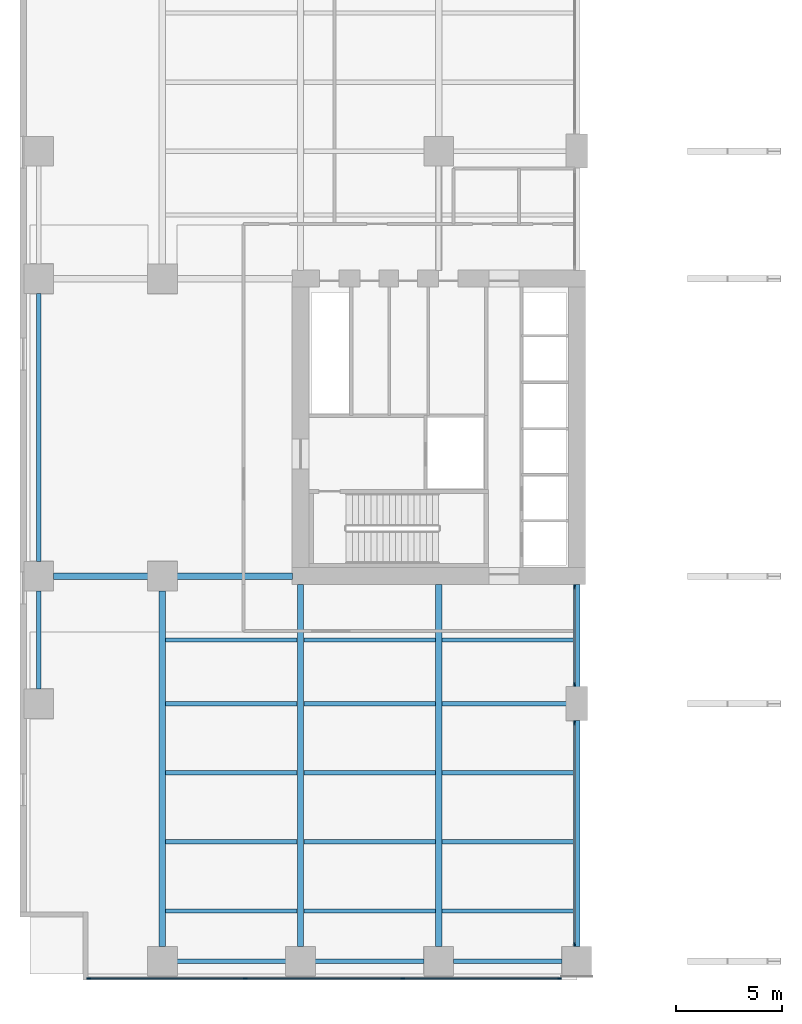
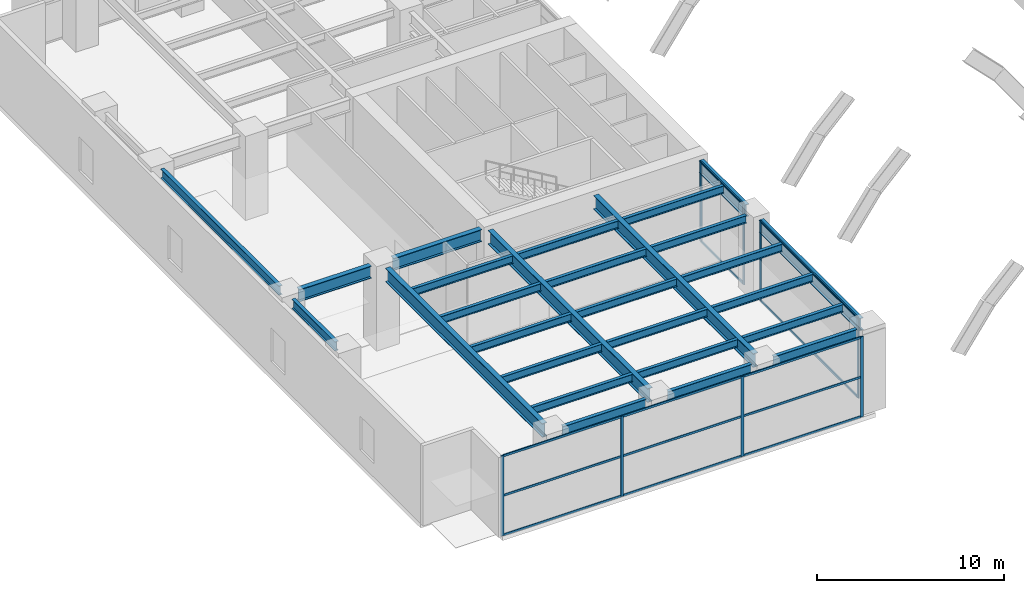
# One storey, part 2 of 18: 27 beams, 21 members, 3 elements without a shape of their own.
"""IFC4 building model written with IfcOpenShell, lengths in metres."""

from ifc_helpers import new_model, si_unit, direction, frame, origin, origin_2d, place, context, subcontext, project, spatial, rectangle, i_section, extrude, material, layer, layer_set, material_profile, profile_set, type_object, element, aggregate, save


model = new_model("IFC4")

# Units and contexts
model_context = context("Model", 3, precision=1e-05, world=origin(), true_north=direction((0.0, 1.0)))
body_context = subcontext(model_context, "Body", "Model", "MODEL_VIEW")
ifc_project = project(units=[si_unit("LENGTHUNIT", "METRE"), si_unit("AREAUNIT", "SQUARE_METRE"), si_unit("VOLUMEUNIT", "CUBIC_METRE"), si_unit("PLANEANGLEUNIT", "RADIAN"), si_unit("MASSUNIT", "GRAM", prefix="KILO")], contexts=[model_context])

# Site, building, storey
site_placement = place(None, origin())
site = spatial("IfcSite", under=ifc_project, at=site_placement, CompositionType="ELEMENT")
building_placement = place(site_placement, origin())
building = spatial("IfcBuilding", under=site, at=building_placement, Name="Putna Gate Headquarters", CompositionType="ELEMENT")
storey_placement = place(building_placement, frame((0.0, 0.0, 11.5)))
storey = spatial("IfcBuildingStorey", under=building, at=storey_placement, Name="L02", CompositionType="ELEMENT", Elevation=11.5)

# Beams
ifc_material_1 = material(Name="Steel S355J2", Category="steel")
ifc_material_profile_1 = material_profile(ifc_material_1, i_section(OverallWidth=0.300048828125, OverallDepth=0.800048828125, WebThickness=0.017578125, FlangeThickness=0.032958984375, at=origin_2d()), Name="Steel S355J2")
ifc_profile_set_1 = profile_set([ifc_material_profile_1], Name="Steel S355J2")
beam_type_1 = type_object("IfcBeamType", Name="BM-GIRD-P-HEB800", PredefinedType="USERDEFINED", material=ifc_profile_set_1)
beam_1_placement = place(storey_placement, frame((1.367919921875, 19.0, 4.820068359375), z_axis=(1.0, 0.0, 0.0), x_axis=(0.0, 1.0, 0.0)))
element("IfcBeam", 1, at=beam_1_placement, inside=storey, type_object=beam_type_1, Name="L02 West Wing Girder Y19-1", ObjectType="GIRDER", PredefinedType="USERDEFINED", context=body_context, shape_type="SweptSolid", body=[
    extrude(i_section(OverallWidth=0.300048828125, OverallDepth=0.800048828125, WebThickness=0.017578125, FlangeThickness=0.032958984375, at=origin_2d()), origin(), (0.0, 0.0, 1.0), 4.444091796875),
])
beam_2_placement = place(storey_placement, frame((7.18798828125, 19.0, 4.820068359375), z_axis=(1.0, 0.0, 0.0), x_axis=(0.0, 1.0, 0.0)))
element("IfcBeam", 2, at=beam_2_placement, inside=storey, type_object=beam_type_1, Name="L02 West Wing Girder Y19-2", ObjectType="GIRDER", PredefinedType="USERDEFINED", context=body_context, shape_type="SweptSolid", body=[
    extrude(i_section(OverallWidth=0.300048828125, OverallDepth=0.800048828125, WebThickness=0.017578125, FlangeThickness=0.032958984375, at=origin_2d()), origin(), (0.0, 0.0, 1.0), 5.427001953125),
])
beam_3_placement = place(storey_placement, frame((26.0, 1.568115234375, 4.820068359375), z_axis=(0.0, 1.0, 0.0), x_axis=(-1.0, 0.0, 0.0)))
element("IfcBeam", 3, at=beam_3_placement, inside=storey, type_object=beam_type_1, Name="L02 South Primary Girder X26-1", ObjectType="GIRDER", PredefinedType="USERDEFINED", context=body_context, shape_type="SweptSolid", body=[
    extrude(i_section(OverallWidth=0.300048828125, OverallDepth=0.800048828125, WebThickness=0.017578125, FlangeThickness=0.032958984375, at=origin_2d()), origin(), (0.0, 0.0, 1.0), 10.643798828125),
])
beam_4_placement = place(storey_placement, frame((26.0, 13.7880859375, 4.820068359375), z_axis=(0.0, 1.0, 0.0), x_axis=(-1.0, 0.0, 0.0)))
element("IfcBeam", 4, at=beam_4_placement, inside=storey, type_object=beam_type_1, Name="L02 South Primary Girder X26-2", ObjectType="GIRDER", PredefinedType="USERDEFINED", context=body_context, shape_type="SweptSolid", body=[
    extrude(i_section(OverallWidth=0.300048828125, OverallDepth=0.800048828125, WebThickness=0.017578125, FlangeThickness=0.032958984375, at=origin_2d()), origin(), (0.0, 0.0, 1.0), 4.826904296875),
])
ifc_material_profile_2 = material_profile(ifc_material_1, i_section(OverallWidth=0.300048828125, OverallDepth=0.89990234375, WebThickness=0.0185546875, FlangeThickness=0.034912109375, at=origin_2d()), Name="Steel S355J2")
ifc_profile_set_2 = profile_set([ifc_material_profile_2], Name="Steel S355J2")
beam_type_2 = type_object("IfcBeamType", Name="BM-SEC-AUD-HEB900", PredefinedType="USERDEFINED", material=ifc_profile_set_2)
beam_5_placement = place(storey_placement, frame((6.5, 1.568115234375, 4.77001953125), z_axis=(0.0, 1.0, 0.0), x_axis=(-1.0, 0.0, 0.0)))
element("IfcBeam", 5, at=beam_5_placement, inside=storey, type_object=beam_type_2, Name="L02 South Primary Girder X6", ObjectType="GIRDER", PredefinedType="USERDEFINED", context=body_context, shape_type="SweptSolid", body=[
    extrude(i_section(OverallWidth=0.300048828125, OverallDepth=0.89990234375, WebThickness=0.0185546875, FlangeThickness=0.034912109375, at=origin_2d()), origin(), (0.0, 0.0, 1.0), 16.743896484375),
])
for number, where, z_axis, x_axis, name in (
    (6, (13.0, 1.568115234375, 4.77001953125), (0.0, 1.0, 0.0), (-1.0, 0.0, 0.0), "L02 South Primary Girder X13"),
    (7, (19.5, 1.568115234375, 4.77001953125), (0.0, 1.0, 0.0), (-1.0, 0.0, 0.0), "L02 South Primary Girder X19"),
):
    element("IfcBeam", number, at=place(storey_placement, frame(where, z_axis=z_axis, x_axis=x_axis)), inside=storey, type_object=beam_type_2, Name=name, ObjectType="GIRDER", PredefinedType="USERDEFINED", context=body_context, shape_type="SweptSolid", body=[
        extrude(i_section(OverallWidth=0.300048828125, OverallDepth=0.89990234375, WebThickness=0.0185546875, FlangeThickness=0.034912109375, at=origin_2d()), origin(), (0.0, 0.0, 1.0), 17.046875),
    ])
ifc_material_profile_3 = material_profile(ifc_material_1, i_section(OverallWidth=0.199951171875, OverallDepth=0.5, WebThickness=0.01025390625, FlangeThickness=0.01611328125, at=origin_2d()), Name="Steel S355J2")
ifc_profile_set_3 = profile_set([ifc_material_profile_3], Name="Steel S355J2")
beam_type_3 = type_object("IfcBeamType", Name="BM-SEC-P-IPE500", PredefinedType="BEAM", material=ifc_profile_set_3)
for number, where, z_axis, x_axis, name in (
    (8, (6.654052734375, 3.25, 4.969970703125), (1.0, 0.0, 0.0), (0.0, 1.0, 0.0), "L02 South Secondary Beam 1"),
    (9, (6.654052734375, 6.5, 4.969970703125), (1.0, 0.0, 0.0), (0.0, 1.0, 0.0), "L02 South Secondary Beam 1"),
    (10, (6.654052734375, 9.75, 4.969970703125), (1.0, 0.0, 0.0), (0.0, 1.0, 0.0), "L02 South Secondary Beam 1"),
    (11, (6.654052734375, 13.0, 4.969970703125), (1.0, 0.0, 0.0), (0.0, 1.0, 0.0), "L02 South Secondary Beam 1"),
    (12, (6.654052734375, 16.0, 4.969970703125), (1.0, 0.0, 0.0), (0.0, 1.0, 0.0), "L02 South Secondary Beam 1"),
    (13, (13.154052734375, 3.25, 4.969970703125), (1.0, 0.0, 0.0), (0.0, 1.0, 0.0), "L02 South Secondary Beam 2"),
    (14, (13.154052734375, 6.5, 4.969970703125), (1.0, 0.0, 0.0), (0.0, 1.0, 0.0), "L02 South Secondary Beam 2"),
    (15, (13.154052734375, 9.75, 4.969970703125), (1.0, 0.0, 0.0), (0.0, 1.0, 0.0), "L02 South Secondary Beam 2"),
    (16, (13.154052734375, 13.0, 4.969970703125), (1.0, 0.0, 0.0), (0.0, 1.0, 0.0), "L02 South Secondary Beam 2"),
    (17, (13.154052734375, 16.0, 4.969970703125), (1.0, 0.0, 0.0), (0.0, 1.0, 0.0), "L02 South Secondary Beam 2"),
    (18, (19.654052734375, 3.25, 4.969970703125), (1.0, 0.0, 0.0), (0.0, 1.0, 0.0), "L02 South Secondary Beam 3"),
    (19, (19.654052734375, 6.5, 4.969970703125), (1.0, 0.0, 0.0), (0.0, 1.0, 0.0), "L02 South Secondary Beam 3"),
    (20, (19.654052734375, 9.75, 4.969970703125), (1.0, 0.0, 0.0), (0.0, 1.0, 0.0), "L02 South Secondary Beam 3"),
):
    element("IfcBeam", number, at=place(storey_placement, frame(where, z_axis=z_axis, x_axis=x_axis)), inside=storey, type_object=beam_type_3, Name=name, PredefinedType="BEAM", context=body_context, shape_type="SweptSolid", body=[
        extrude(i_section(OverallWidth=0.199951171875, OverallDepth=0.5, WebThickness=0.01025390625, FlangeThickness=0.01611328125, at=origin_2d()), origin(), (0.0, 0.0, 1.0), 6.19189453125),
    ])
beam_6_placement = place(storey_placement, frame((19.654052734375, 13.0, 4.969970703125), z_axis=(1.0, 0.0, 0.0), x_axis=(0.0, 1.0, 0.0)))
element("IfcBeam", 21, at=beam_6_placement, inside=storey, type_object=beam_type_3, Name="L02 South Secondary Beam 3", PredefinedType="BEAM", context=body_context, shape_type="SweptSolid", body=[
    extrude(i_section(OverallWidth=0.199951171875, OverallDepth=0.5, WebThickness=0.01025390625, FlangeThickness=0.01611328125, at=origin_2d()), origin(), (0.0, 0.0, 1.0), 5.85791015625),
])
beam_7_placement = place(storey_placement, frame((19.654052734375, 16.0, 4.969970703125), z_axis=(1.0, 0.0, 0.0), x_axis=(0.0, 1.0, 0.0)))
element("IfcBeam", 22, at=beam_7_placement, inside=storey, type_object=beam_type_3, Name="L02 South Secondary Beam 3", PredefinedType="BEAM", context=body_context, shape_type="SweptSolid", body=[
    extrude(i_section(OverallWidth=0.199951171875, OverallDepth=0.5, WebThickness=0.01025390625, FlangeThickness=0.01611328125, at=origin_2d()), origin(), (0.0, 0.0, 1.0), 6.19189453125),
])
ifc_material_profile_4 = material_profile(ifc_material_1, i_section(OverallWidth=0.219970703125, OverallDepth=0.60009765625, WebThickness=0.011962890625, FlangeThickness=0.01904296875, at=origin_2d()), Name="Steel S355J2")
ifc_profile_set_4 = profile_set([ifc_material_profile_4], Name="Steel S355J2")
beam_type_4 = type_object("IfcBeamType", Name="BM-SPAN-P-IPE600", PredefinedType="SPANDREL", material=ifc_profile_set_4)
for number, where, z_axis, x_axis, name in (
    (23, (7.18798828125, 0.8798828125, 4.919921875), (1.0, 0.0, 0.0), (0.0, 1.0, 0.0), "L02 S Perimeter Spandrel 1"),
    (24, (13.68798828125, 0.8798828125, 4.919921875), (1.0, 0.0, 0.0), (0.0, 1.0, 0.0), "L02 S Perimeter Spandrel 2"),
    (25, (20.18798828125, 0.8798828125, 4.919921875), (1.0, 0.0, 0.0), (0.0, 1.0, 0.0), "L02 S Perimeter Spandrel 3"),
):
    element("IfcBeam", number, at=place(storey_placement, frame(where, z_axis=z_axis, x_axis=x_axis)), inside=storey, type_object=beam_type_4, Name=name, PredefinedType="SPANDREL", context=body_context, shape_type="SweptSolid", body=[
        extrude(i_section(OverallWidth=0.219970703125, OverallDepth=0.60009765625, WebThickness=0.011962890625, FlangeThickness=0.01904296875, at=origin_2d()), origin(), (0.0, 0.0, 1.0), 5.1240234375),
    ])
beam_8_placement = place(storey_placement, frame((0.679931640625, 13.68798828125, 4.919921875), z_axis=(0.0, 1.0, 0.0), x_axis=(-1.0, 0.0, 0.0)))
element("IfcBeam", 26, at=beam_8_placement, inside=storey, type_object=beam_type_4, Name="L02 W End Spandrel 1", PredefinedType="SPANDREL", context=body_context, shape_type="SweptSolid", body=[
    extrude(i_section(OverallWidth=0.219970703125, OverallDepth=0.60009765625, WebThickness=0.011962890625, FlangeThickness=0.01904296875, at=origin_2d()), origin(), (0.0, 0.0, 1.0), 4.6240234375),
])
beam_9_placement = place(storey_placement, frame((0.679931640625, 19.68798828125, 4.919921875), z_axis=(0.0, 1.0, 0.0), x_axis=(-1.0, 0.0, 0.0)))
element("IfcBeam", 27, at=beam_9_placement, inside=storey, type_object=beam_type_4, Name="L02 W End Spandrel 2", PredefinedType="SPANDREL", context=body_context, shape_type="SweptSolid", body=[
    extrude(i_section(OverallWidth=0.219970703125, OverallDepth=0.60009765625, WebThickness=0.011962890625, FlangeThickness=0.01904296875, at=origin_2d()), origin(), (0.0, 0.0, 1.0), 12.6240234375),
])

# Curtain wall, members
ifc_material_2 = material(Name="Anodised bronze aluminium curtain wall", Category="aluminium")
ifc_layer_1 = layer(ifc_material_2, 0.179931640625)
ifc_layer_set_1 = layer_set([ifc_layer_1], Name="Anodised bronze aluminium curtain wall")
curtain_wall_type_1 = type_object("IfcCurtainWallType", Name="CW-SYS-ATR", PredefinedType="USERDEFINED", material=ifc_layer_set_1)
curtain_wall_1_placement = place(storey_placement, origin())
curtain_wall_1 = element("IfcCurtainWall", 28, at=curtain_wall_1_placement, inside=storey, type_object=curtain_wall_type_1, Name="L02 Arch Flank Glazing W-S1", ObjectType="ATRIUM GLAZING", PredefinedType="USERDEFINED")
ifc_material_3 = material(Name="Anodised bronze aluminium EN AW-6060", Category="aluminium")
ifc_material_profile_5 = material_profile(ifc_material_3, rectangle(XDim=0.070068359375, YDim=0.179931640625, at=origin_2d()), Name="Anodised bronze aluminium EN AW-6060")
ifc_profile_set_5 = profile_set([ifc_material_profile_5], Name="Anodised bronze aluminium EN AW-6060")
member_type_1 = type_object("IfcMemberType", Name="MULL-CWM-AT", PredefinedType="MULLION", material=ifc_profile_set_5)
member_1_placement = place(storey_placement, frame((25.89990234375, 1.68505859375, 0.0), z_axis=(0.0, 0.0, 1.0), x_axis=(-1.0, 0.0, 0.0)))
member_1 = element("IfcMember", 29, at=member_1_placement, type_object=member_type_1, Name="CWS-AT mullion 1", PredefinedType="MULLION", context=body_context, shape_type="SweptSolid", body=[
    extrude(rectangle(XDim=0.070068359375, YDim=0.179931640625, at=origin_2d()), origin(), (0.0, 0.0, 1.0), 5.219970703125),
])
member_2_placement = place(storey_placement, frame((25.89990234375, 12.0849609375, 0.0), z_axis=(0.0, 0.0, 1.0), x_axis=(-1.0, 0.0, 0.0)))
member_2 = element("IfcMember", 30, at=member_2_placement, type_object=member_type_1, Name="CWS-AT mullion 2", PredefinedType="MULLION", context=body_context, shape_type="SweptSolid", body=[
    extrude(rectangle(XDim=0.070068359375, YDim=0.179931640625, at=origin_2d()), origin(), (0.0, 0.0, 1.0), 5.219970703125),
])

curtain_wall_2_placement = place(storey_placement, origin())
curtain_wall_2 = element("IfcCurtainWall", 31, at=curtain_wall_2_placement, inside=storey, type_object=curtain_wall_type_1, Name="L02 Arch Flank Glazing W-S2", ObjectType="ATRIUM GLAZING", PredefinedType="USERDEFINED")
member_3_placement = place(storey_placement, frame((25.89990234375, 13.9150390625, 0.0), z_axis=(0.0, 0.0, 1.0), x_axis=(-1.0, 0.0, 0.0)))
member_3 = element("IfcMember", 32, at=member_3_placement, type_object=member_type_1, Name="CWS-AT mullion 1", PredefinedType="MULLION", context=body_context, shape_type="SweptSolid", body=[
    extrude(rectangle(XDim=0.070068359375, YDim=0.179931640625, at=origin_2d()), origin(), (0.0, 0.0, 1.0), 5.219970703125),
])
member_4_placement = place(storey_placement, frame((25.89990234375, 18.485107421875, 0.0), z_axis=(0.0, 0.0, 1.0), x_axis=(-1.0, 0.0, 0.0)))
member_4 = element("IfcMember", 33, at=member_4_placement, type_object=member_type_1, Name="CWS-AT mullion 2", PredefinedType="MULLION", context=body_context, shape_type="SweptSolid", body=[
    extrude(rectangle(XDim=0.070068359375, YDim=0.179931640625, at=origin_2d()), origin(), (0.0, 0.0, 1.0), 5.219970703125),
])

ifc_layer_2 = layer(ifc_material_2, 0.179931640625)
ifc_layer_set_2 = layer_set([ifc_layer_2], Name="Anodised bronze aluminium curtain wall")
curtain_wall_type_2 = type_object("IfcCurtainWallType", Name="CW-SYS-POD", PredefinedType="USERDEFINED", material=ifc_layer_set_2)
curtain_wall_3_placement = place(storey_placement, origin())
curtain_wall_3 = element("IfcCurtainWall", 34, at=curtain_wall_3_placement, inside=storey, type_object=curtain_wall_type_2, Name="L02 South West Curtain Wall", ObjectType="STICK CURTAIN WALL", PredefinedType="USERDEFINED")
ifc_material_profile_6 = material_profile(ifc_material_3, rectangle(XDim=0.070068359375, YDim=0.179931640625, at=origin_2d()), Name="Anodised bronze aluminium EN AW-6060")
ifc_profile_set_6 = profile_set([ifc_material_profile_6], Name="Anodised bronze aluminium EN AW-6060")
member_type_2 = type_object("IfcMemberType", Name="MULL-CWM-P", PredefinedType="MULLION", material=ifc_profile_set_6)
member_5_placement = place(storey_placement, frame((3.034912109375, 0.080078125, 0.0), z_axis=(0.0, 0.0, 1.0), x_axis=(0.0, 1.0, 0.0)))
member_5 = element("IfcMember", 35, at=member_5_placement, type_object=member_type_2, Name="CWS-P mullion 1", PredefinedType="MULLION", context=body_context, shape_type="SweptSolid", body=[
    extrude(rectangle(XDim=0.070068359375, YDim=0.179931640625, at=origin_2d()), origin(), (0.0, 0.0, 1.0), 5.219970703125),
])
member_6_placement = place(storey_placement, frame((10.40673828125, 0.080078125, 0.0), z_axis=(0.0, 0.0, 1.0), x_axis=(0.0, 1.0, 0.0)))
member_6 = element("IfcMember", 36, at=member_6_placement, type_object=member_type_2, Name="CWS-P mullion 2", PredefinedType="MULLION", context=body_context, shape_type="SweptSolid", body=[
    extrude(rectangle(XDim=0.070068359375, YDim=0.179931640625, at=origin_2d()), origin(), (0.0, 0.0, 1.0), 5.219970703125),
])
member_7_placement = place(storey_placement, frame((17.813232421875, 0.080078125, 0.0), z_axis=(0.0, 0.0, 1.0), x_axis=(0.0, 1.0, 0.0)))
member_7 = element("IfcMember", 37, at=member_7_placement, type_object=member_type_2, Name="CWS-P mullion 3", PredefinedType="MULLION", context=body_context, shape_type="SweptSolid", body=[
    extrude(rectangle(XDim=0.070068359375, YDim=0.179931640625, at=origin_2d()), origin(), (0.0, 0.0, 1.0), 5.219970703125),
])
member_8_placement = place(storey_placement, frame((25.18505859375, 0.080078125, 0.0), z_axis=(0.0, 0.0, 1.0), x_axis=(0.0, 1.0, 0.0)))
member_8 = element("IfcMember", 38, at=member_8_placement, type_object=member_type_2, Name="CWS-P mullion 4", PredefinedType="MULLION", context=body_context, shape_type="SweptSolid", body=[
    extrude(rectangle(XDim=0.070068359375, YDim=0.179931640625, at=origin_2d()), origin(), (0.0, 0.0, 1.0), 5.219970703125),
])

# Member
ifc_material_profile_7 = material_profile(ifc_material_3, rectangle(XDim=0.070068359375, YDim=0.139892578125, at=origin_2d()), Name="Anodised bronze aluminium EN AW-6060")
ifc_profile_set_7 = profile_set([ifc_material_profile_7], Name="Anodised bronze aluminium EN AW-6060")
member_type_3 = type_object("IfcMemberType", Name="TRAN-CWT-AT", PredefinedType="USERDEFINED", material=ifc_profile_set_7)
member_9_placement = place(storey_placement, frame((25.89990234375, 1.719970703125, 0.034912109375), z_axis=(0.0, 1.0, 0.0), x_axis=(-1.0, 0.0, 0.0)))
member_9 = element("IfcMember", 39, at=member_9_placement, type_object=member_type_3, Name="CWS-AT transom 1.1", ObjectType="TRANSOM", PredefinedType="USERDEFINED", context=body_context, shape_type="SweptSolid", body=[
    extrude(rectangle(XDim=0.070068359375, YDim=0.139892578125, at=origin_2d()), origin(), (0.0, 0.0, 1.0), 10.330078125),
])

member_10_placement = place(storey_placement, frame((25.89990234375, 1.719970703125, 5.18505859375), z_axis=(0.0, 1.0, 0.0), x_axis=(-1.0, 0.0, 0.0)))
member_10 = element("IfcMember", 40, at=member_10_placement, type_object=member_type_3, Name="CWS-AT transom 1.2", ObjectType="TRANSOM", PredefinedType="USERDEFINED", context=body_context, shape_type="SweptSolid", body=[
    extrude(rectangle(XDim=0.070068359375, YDim=0.139892578125, at=origin_2d()), origin(), (0.0, 0.0, 1.0), 10.330078125),
])

aggregate(curtain_wall_1, [member_1, member_2, member_9, member_10])

member_11_placement = place(storey_placement, frame((25.89990234375, 13.949951171875, 0.034912109375), z_axis=(0.0, 1.0, 0.0), x_axis=(-1.0, 0.0, 0.0)))
member_11 = element("IfcMember", 41, at=member_11_placement, type_object=member_type_3, Name="CWS-AT transom 1.1", ObjectType="TRANSOM", PredefinedType="USERDEFINED", context=body_context, shape_type="SweptSolid", body=[
    extrude(rectangle(XDim=0.070068359375, YDim=0.139892578125, at=origin_2d()), origin(), (0.0, 0.0, 1.0), 4.5),
])

member_12_placement = place(storey_placement, frame((25.89990234375, 13.949951171875, 5.18505859375), z_axis=(0.0, 1.0, 0.0), x_axis=(-1.0, 0.0, 0.0)))
member_12 = element("IfcMember", 42, at=member_12_placement, type_object=member_type_3, Name="CWS-AT transom 1.2", ObjectType="TRANSOM", PredefinedType="USERDEFINED", context=body_context, shape_type="SweptSolid", body=[
    extrude(rectangle(XDim=0.070068359375, YDim=0.139892578125, at=origin_2d()), origin(), (0.0, 0.0, 1.0), 4.5),
])

aggregate(curtain_wall_2, [member_3, member_4, member_11, member_12])

ifc_material_profile_8 = material_profile(ifc_material_3, rectangle(XDim=0.070068359375, YDim=0.139892578125, at=origin_2d()), Name="Anodised bronze aluminium EN AW-6060")
ifc_profile_set_8 = profile_set([ifc_material_profile_8], Name="Anodised bronze aluminium EN AW-6060")
member_type_4 = type_object("IfcMemberType", Name="TRAN-CWT-P", PredefinedType="USERDEFINED", material=ifc_profile_set_8)
member_13_placement = place(storey_placement, frame((3.070068359375, 0.080078125, 0.034912109375), z_axis=(1.0, 0.0, 0.0), x_axis=(0.0, 1.0, 0.0)))
member_13 = element("IfcMember", 43, at=member_13_placement, type_object=member_type_4, Name="CWS-P transom 1.1", ObjectType="TRANSOM", PredefinedType="USERDEFINED", context=body_context, shape_type="SweptSolid", body=[
    extrude(rectangle(XDim=0.070068359375, YDim=0.139892578125, at=origin_2d()), origin(), (0.0, 0.0, 1.0), 7.301513671875),
])

member_14_placement = place(storey_placement, frame((3.070068359375, 0.080078125, 2.610107421875), z_axis=(1.0, 0.0, 0.0), x_axis=(0.0, 1.0, 0.0)))
member_14 = element("IfcMember", 44, at=member_14_placement, type_object=member_type_4, Name="CWS-P transom 1.2", ObjectType="TRANSOM", PredefinedType="USERDEFINED", context=body_context, shape_type="SweptSolid", body=[
    extrude(rectangle(XDim=0.070068359375, YDim=0.139892578125, at=origin_2d()), origin(), (0.0, 0.0, 1.0), 7.301513671875),
])

member_15_placement = place(storey_placement, frame((3.070068359375, 0.080078125, 5.18505859375), z_axis=(1.0, 0.0, 0.0), x_axis=(0.0, 1.0, 0.0)))
member_15 = element("IfcMember", 45, at=member_15_placement, type_object=member_type_4, Name="CWS-P transom 1.3", ObjectType="TRANSOM", PredefinedType="USERDEFINED", context=body_context, shape_type="SweptSolid", body=[
    extrude(rectangle(XDim=0.070068359375, YDim=0.139892578125, at=origin_2d()), origin(), (0.0, 0.0, 1.0), 7.301513671875),
])

member_16_placement = place(storey_placement, frame((10.441650390625, 0.080078125, 0.034912109375), z_axis=(1.0, 0.0, 0.0), x_axis=(0.0, 1.0, 0.0)))
member_16 = element("IfcMember", 46, at=member_16_placement, type_object=member_type_4, Name="CWS-P transom 2.1", ObjectType="TRANSOM", PredefinedType="USERDEFINED", context=body_context, shape_type="SweptSolid", body=[
    extrude(rectangle(XDim=0.070068359375, YDim=0.139892578125, at=origin_2d()), origin(), (0.0, 0.0, 1.0), 7.336669921875),
])

member_17_placement = place(storey_placement, frame((10.441650390625, 0.080078125, 2.610107421875), z_axis=(1.0, 0.0, 0.0), x_axis=(0.0, 1.0, 0.0)))
member_17 = element("IfcMember", 47, at=member_17_placement, type_object=member_type_4, Name="CWS-P transom 2.2", ObjectType="TRANSOM", PredefinedType="USERDEFINED", context=body_context, shape_type="SweptSolid", body=[
    extrude(rectangle(XDim=0.070068359375, YDim=0.139892578125, at=origin_2d()), origin(), (0.0, 0.0, 1.0), 7.336669921875),
])

member_18_placement = place(storey_placement, frame((10.441650390625, 0.080078125, 5.18505859375), z_axis=(1.0, 0.0, 0.0), x_axis=(0.0, 1.0, 0.0)))
member_18 = element("IfcMember", 48, at=member_18_placement, type_object=member_type_4, Name="CWS-P transom 2.3", ObjectType="TRANSOM", PredefinedType="USERDEFINED", context=body_context, shape_type="SweptSolid", body=[
    extrude(rectangle(XDim=0.070068359375, YDim=0.139892578125, at=origin_2d()), origin(), (0.0, 0.0, 1.0), 7.336669921875),
])

member_19_placement = place(storey_placement, frame((17.848388671875, 0.080078125, 0.034912109375), z_axis=(1.0, 0.0, 0.0), x_axis=(0.0, 1.0, 0.0)))
member_19 = element("IfcMember", 49, at=member_19_placement, type_object=member_type_4, Name="CWS-P transom 3.1", ObjectType="TRANSOM", PredefinedType="USERDEFINED", context=body_context, shape_type="SweptSolid", body=[
    extrude(rectangle(XDim=0.070068359375, YDim=0.139892578125, at=origin_2d()), origin(), (0.0, 0.0, 1.0), 7.301513671875),
])

member_20_placement = place(storey_placement, frame((17.848388671875, 0.080078125, 2.610107421875), z_axis=(1.0, 0.0, 0.0), x_axis=(0.0, 1.0, 0.0)))
member_20 = element("IfcMember", 50, at=member_20_placement, type_object=member_type_4, Name="CWS-P transom 3.2", ObjectType="TRANSOM", PredefinedType="USERDEFINED", context=body_context, shape_type="SweptSolid", body=[
    extrude(rectangle(XDim=0.070068359375, YDim=0.139892578125, at=origin_2d()), origin(), (0.0, 0.0, 1.0), 7.301513671875),
])

member_21_placement = place(storey_placement, frame((17.848388671875, 0.080078125, 5.18505859375), z_axis=(1.0, 0.0, 0.0), x_axis=(0.0, 1.0, 0.0)))
member_21 = element("IfcMember", 51, at=member_21_placement, type_object=member_type_4, Name="CWS-P transom 3.3", ObjectType="TRANSOM", PredefinedType="USERDEFINED", context=body_context, shape_type="SweptSolid", body=[
    extrude(rectangle(XDim=0.070068359375, YDim=0.139892578125, at=origin_2d()), origin(), (0.0, 0.0, 1.0), 7.301513671875),
])

aggregate(curtain_wall_3, [member_5, member_6, member_7, member_8, member_13, member_14, member_15, member_16, member_17, member_18, member_19, member_20, member_21])

save(model, "model.ifc")
